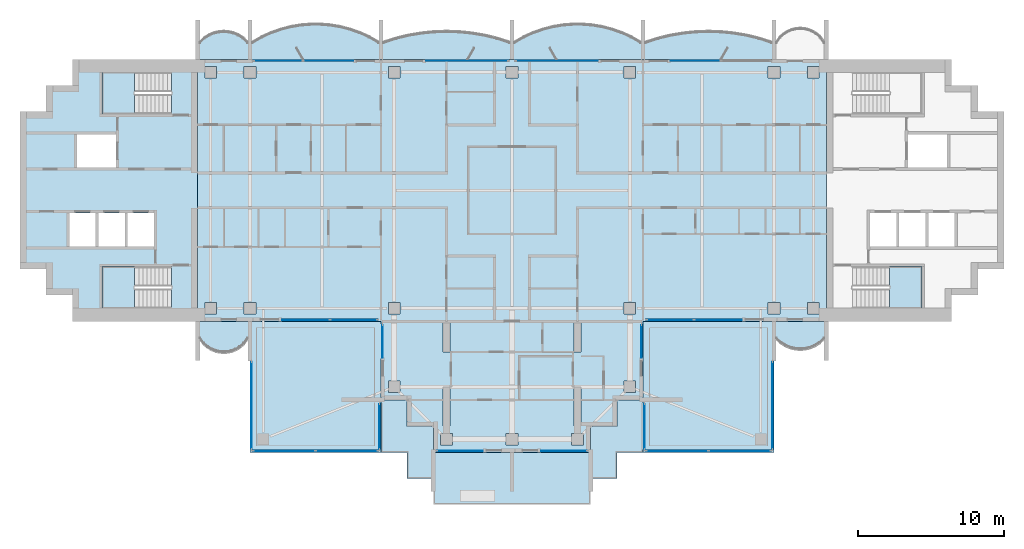
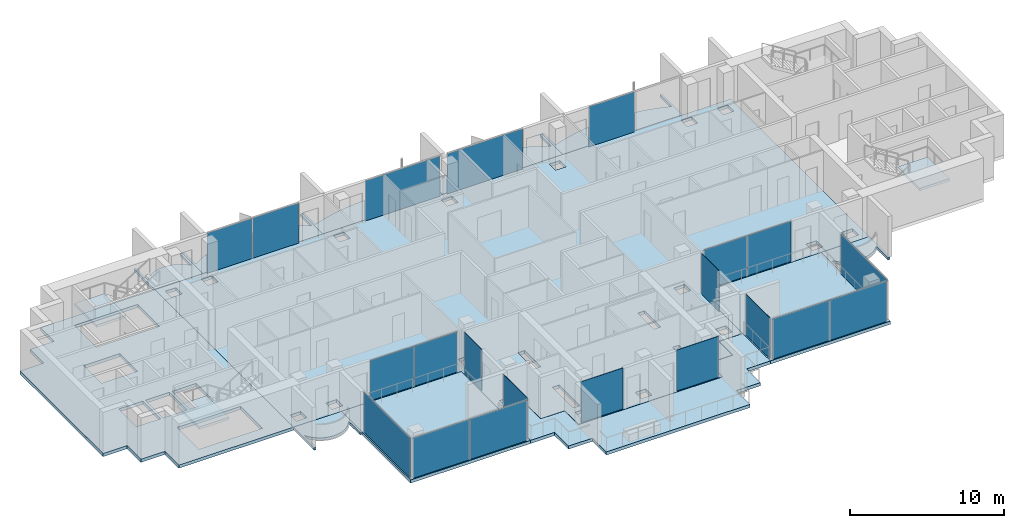
# One storey, part 5 of 16: 21 plates, 15 slabs, 19 elements without a shape of their own.
"""IFC4 building model written with IfcOpenShell, lengths in metres."""

import ifcopenshell
import ifcopenshell.guid

model = None  # the IFC model being written
_history = None  # IfcOwnerHistory: only IFC2X3 demands one
_inside = {}  # id of a spatial element -> (the spatial element, [elements in it])
_under = {}  # id of a project, library or spatial element -> (it, [spatial elements below it])
_declared = {}  # id of a project -> (the project, [libraries it declares])
_typed = {}  # id of a type object -> (the type object, [elements of that type])
_made_of = {}  # id of a material, layer set ... -> (it, [elements and type objects made of it])


def new_model(schema):
    """Start an empty IFC model of exactly this schema.

    Asked for "IFC4X3", IfcOpenShell would pick the latest addendum, in which some entities
    have other attributes; the version numbers below select the first issue.
    IFC2X3 requires an IfcOwnerHistory on every rooted entity: one is made here for all.
    """
    global model, _history
    if schema == "IFC4X3":
        model = ifcopenshell.file(schema_version=(4, 3, 0, 0))
    else:
        model = ifcopenshell.file(schema=schema)
    _inside.clear()
    _under.clear()
    _declared.clear()
    _typed.clear()
    _made_of.clear()
    _history = None
    if model.schema == "IFC2X3":
        org = make("IfcOrganization", Name="unknown")
        user = make(
            "IfcPersonAndOrganization",
            ThePerson=make("IfcPerson", FamilyName="unknown"),
            TheOrganization=org,
        )
        app = make(
            "IfcApplication",
            ApplicationDeveloper=org,
            Version="unknown",
            ApplicationFullName="unknown",
            ApplicationIdentifier="unknown",
        )
        _history = make(
            "IfcOwnerHistory",
            OwningUser=user,
            OwningApplication=app,
            ChangeAction="ADDED",
            CreationDate=0,
        )
    return model


def make(cls, **values):
    """One entity of the class cls with the attributes given. An attribute that is None is left unset."""
    return model.create_entity(
        cls, **{name: value for name, value in values.items() if value is not None}
    )


def rooted(cls, **values):
    """An entity with a GlobalId (a new one), such as an element, a storey or a relation."""
    return make(cls, GlobalId=ifcopenshell.guid.new(), OwnerHistory=_history, **values)


def si_unit(unit_type, name, prefix=None):
    """IfcSIUnit, for example si_unit("LENGTHUNIT", "METRE", prefix="MILLI")."""
    return make("IfcSIUnit", UnitType=unit_type, Prefix=prefix, Name=name)


def assignment(units):
    """IfcUnitAssignment: the units of a project."""
    return None if units is None else make("IfcUnitAssignment", Units=units)


def point(xyz):
    """IfcCartesianPoint."""
    return None if xyz is None else make("IfcCartesianPoint", Coordinates=xyz)


def direction(xyz):
    """IfcDirection."""
    return None if xyz is None else make("IfcDirection", DirectionRatios=xyz)


def frame(location, z_axis=None, x_axis=None):
    """IfcAxis2Placement3D, a coordinate frame: its origin and axes. An axis left out is left unset."""
    return make(
        "IfcAxis2Placement3D",
        Location=point(location),
        Axis=direction(z_axis),
        RefDirection=direction(x_axis),
    )


def frame_2d(location, x_axis=None):
    """IfcAxis2Placement2D, a coordinate frame in the plane: its origin and x axis."""
    return make(
        "IfcAxis2Placement2D", Location=point(location), RefDirection=direction(x_axis)
    )


def origin():
    """The frame at (0, 0, 0) with its axes left unset."""
    return frame((0.0, 0.0, 0.0))


def origin_2d():
    """The frame at (0, 0) in the plane with its x axis left unset."""
    return frame_2d((0.0, 0.0))


def place(relative_to, where):
    """IfcLocalPlacement: puts the frame where relative to a parent placement (None: the world)."""
    return make(
        "IfcLocalPlacement", PlacementRelTo=relative_to, RelativePlacement=where
    )


def context(
    kind, dimensions, precision=None, world=None, true_north=None, identifier=None
):
    """IfcGeometricRepresentationContext, for example the 3D "Model" context."""
    return make(
        "IfcGeometricRepresentationContext",
        ContextIdentifier=identifier,
        ContextType=kind,
        CoordinateSpaceDimension=dimensions,
        Precision=precision,
        WorldCoordinateSystem=world,
        TrueNorth=true_north,
    )


def subcontext(parent, identifier, kind, view, scale=None):
    """IfcGeometricRepresentationSubContext, for example "Body" below "Model"."""
    return make(
        "IfcGeometricRepresentationSubContext",
        ContextIdentifier=identifier,
        ContextType=kind,
        ParentContext=parent,
        TargetScale=scale,
        TargetView=view,
    )


def project(units=None, contexts=None):
    """IfcProject with its units and contexts."""
    return rooted(
        "IfcProject",
        Name="project",
        RepresentationContexts=contexts,
        UnitsInContext=assignment(units),
    )


def spatial(cls, under=None, at=None, **own):
    """A site, building, storey or space (cls), placed at a placement, below another one or the project."""
    s = rooted(cls, ObjectPlacement=at, **own)
    if under is not None:
        _under.setdefault(under.id(), (under, []))[1].append(s)
    return s


def polyline(points):
    """IfcPolyline through the points."""
    return make("IfcPolyline", Points=[point(p) for p in points])


def profile(cls, at=None, kind="AREA", **sizes):
    """A parametric profile (cls). Its sizes go by their IFC names, for example OverallWidth=200.0."""
    return make(cls, ProfileType=kind, Position=at, **sizes)


def rectangle(**sizes):
    """IfcRectangleProfileDef."""
    return profile("IfcRectangleProfileDef", **sizes)


def outline(outer, holes=None, kind="AREA"):
    """IfcArbitraryClosedProfileDef: a profile drawn as a closed curve; with holes, ...WithVoids."""
    if holes is None:
        return make("IfcArbitraryClosedProfileDef", ProfileType=kind, OuterCurve=outer)
    return make(
        "IfcArbitraryProfileDefWithVoids",
        ProfileType=kind,
        OuterCurve=outer,
        InnerCurves=holes,
    )


def extrude(swept, where, along, depth):
    """IfcExtrudedAreaSolid: the profile swept, set in the frame where, extruded along a direction by depth."""
    return make(
        "IfcExtrudedAreaSolid",
        SweptArea=swept,
        Position=where,
        ExtrudedDirection=direction(along),
        Depth=depth,
    )


def shape(context_of_items, identifier, shape_type, items):
    """IfcShapeRepresentation: the items that make up one representation, for example the "Body"."""
    return make(
        "IfcShapeRepresentation",
        ContextOfItems=context_of_items,
        RepresentationIdentifier=identifier,
        RepresentationType=shape_type,
        Items=items,
    )


def material(Name=None, Category=None):
    """IfcMaterial."""
    return make("IfcMaterial", Name=Name, Category=Category)


def layer(
    of_material, thickness, ventilated=None, Name=None, Category=None, Priority=None
):
    """IfcMaterialLayer: one layer of a wall or slab, of a material (None: an air gap)."""
    return make(
        "IfcMaterialLayer",
        Material=of_material,
        LayerThickness=thickness,
        IsVentilated=ventilated,
        Name=Name,
        Category=Category,
        Priority=Priority,
    )


def layer_set(layers, Name=None):
    """IfcMaterialLayerSet."""
    return make("IfcMaterialLayerSet", MaterialLayers=layers, LayerSetName=Name)


def made_of(thing, what):
    """Note that an element or type object is made of a material, layer set ...; save() writes the relation."""
    if what is not None:
        _made_of.setdefault(what.id(), (what, []))[1].append(thing)
    return thing


def type_object(cls, material=None, **own):
    """A type object (cls), such as IfcWallType, which elements share."""
    return made_of(rooted(cls, **own), material)


def element(
    cls,
    number,
    at=None,
    inside=None,
    cuts=None,
    type_object=None,
    material=None,
    context=None,
    identifier="Body",
    shape_type=None,
    held_by="IfcProductDefinitionShape",
    body=None,
    shapes=None,
    **own,
):
    """One element of the class cls, such as IfcWall. Its Tag is "e" and its number.

    at: its placement. inside: the storey or other place that contains it. cuts: it is an
    opening in that element (IfcRelVoidsElement). A single representation is given by context,
    identifier, shape_type and body (its items); several are given by shapes. held_by: the class
    of the entity that holds the representations. save() writes the other relations.
    """
    e = rooted(cls, Tag="e%d" % number, ObjectPlacement=at, **own)
    if body is not None:
        shapes = [shape(context, identifier, shape_type, body)]
    if shapes is not None:
        e.Representation = make(held_by, Representations=shapes)
    if inside is not None:
        _inside.setdefault(inside.id(), (inside, []))[1].append(e)
    if cuts is not None:
        rooted(
            "IfcRelVoidsElement", RelatingBuildingElement=cuts, RelatedOpeningElement=e
        )
    if type_object is not None:
        _typed.setdefault(type_object.id(), (type_object, []))[1].append(e)
    return made_of(e, material)


def aggregate(whole, parts):
    """IfcRelAggregates: a whole, such as a stair, and the parts it consists of."""
    return rooted("IfcRelAggregates", RelatingObject=whole, RelatedObjects=parts)


def save(model, path):
    """Write the relations noted so far, then the file.

    IfcRelAggregates (storeys below a building ...), IfcRelContainedInSpatialStructure (elements
    in a storey), IfcRelDefinesByType, IfcRelAssociatesMaterial and IfcRelDeclares: one each for
    every whole, place, type object, material and project.
    """
    for whole, parts in _under.values():
        aggregate(whole, parts)
    for where, things in _inside.values():
        rooted(
            "IfcRelContainedInSpatialStructure",
            RelatedElements=things,
            RelatingStructure=where,
        )
    for kind, things in _typed.values():
        rooted("IfcRelDefinesByType", RelatedObjects=things, RelatingType=kind)
    for what, things in _made_of.values():
        rooted("IfcRelAssociatesMaterial", RelatedObjects=things, RelatingMaterial=what)
    for by, libraries in _declared.values():
        rooted("IfcRelDeclares", RelatingContext=by, RelatedDefinitions=libraries)
    model.write(path)


model = new_model("IFC4")

# Units and contexts
model_context = context("Model", 3, precision=1e-05, world=origin(), true_north=direction((0.0, 1.0)))
body_context = subcontext(model_context, "Body", "Model", "MODEL_VIEW")
ifc_project = project(units=[si_unit("LENGTHUNIT", "METRE"), si_unit("AREAUNIT", "SQUARE_METRE"), si_unit("VOLUMEUNIT", "CUBIC_METRE"), si_unit("PLANEANGLEUNIT", "RADIAN"), si_unit("MASSUNIT", "GRAM", prefix="KILO")], contexts=[model_context])

# Site, building, storey
site_placement = place(None, origin())
site = spatial("IfcSite", under=ifc_project, at=site_placement, CompositionType="ELEMENT")
building_placement = place(site_placement, origin())
building = spatial("IfcBuilding", under=site, at=building_placement, Name="Perihelion Cross Residences", CompositionType="ELEMENT")
storey_placement = place(building_placement, frame((0.0, 0.0, 232.5)))
storey = spatial("IfcBuildingStorey", under=building, at=storey_placement, Name="L58", CompositionType="ELEMENT", Elevation=232.5)

# Slabs
ifc_material_1 = material(Name="Concrete C40/50", Category="concrete")
ifc_layer_1 = layer(ifc_material_1, 0.199951171875)
ifc_layer_set_1 = layer_set([ifc_layer_1], Name="Balcony slab 200")
slab_type_1 = type_object("IfcSlabType", Name="Balcony slab 200", PredefinedType="FLOOR", material=ifc_layer_set_1)
slab_1_placement = place(storey_placement, frame((0.0, 0.0, -0.199951171875)))
element("IfcSlab", 1, at=slab_1_placement, inside=storey, type_object=slab_type_1, Name="Slab BK1 L58 east side north bay 2 balcony", PredefinedType="FLOOR", context=body_context, shape_type="SweptSolid", body=[
    extrude(outline(polyline([(18.0, 9.0), (9.0, 9.0), (9.0, 11.699951171875), (9.14990234375, 11.699951171875), (9.14990234375, 10.199951171875), (10.02001953125, 10.47509765625), (10.889892578125, 10.68505859375), (11.760009765625, 10.8330078125), (12.6298828125, 10.9208984375), (13.5, 10.949951171875), (14.3701171875, 10.9208984375), (15.239990234375, 10.8330078125), (16.110107421875, 10.68505859375), (16.97998046875, 10.47509765625), (17.85009765625, 10.199951171875), (17.85009765625, 11.699951171875), (18.0, 11.699951171875), (18.0, 9.0)])), origin(), (0.0, 0.0, 1.0), 0.199951171875),
])
slab_2_placement = place(storey_placement, frame((0.0, 0.0, -0.199951171875)))
element("IfcSlab", 2, at=slab_2_placement, inside=storey, type_object=slab_type_1, Name="Slab BK1 L58 north side east bay 1 balcony", PredefinedType="FLOOR", context=body_context, shape_type="SweptSolid", body=[
    extrude(outline(polyline([(9.0, 9.0), (0.0, 9.0), (0.0, 11.699951171875), (0.14990234375, 11.699951171875), (0.14990234375, 10.199951171875), (0.8193359375, 10.57666015625), (1.488525390625, 10.87646484375), (2.15771484375, 11.108154296875), (2.826904296875, 11.27734375), (3.49609375, 11.38818359375), (4.165283203125, 11.443115234375), (4.834716796875, 11.443115234375), (5.50390625, 11.38818359375), (6.173095703125, 11.27734375), (6.84228515625, 11.108154296875), (7.511474609375, 10.87646484375), (8.1806640625, 10.57666015625), (8.85009765625, 10.199951171875), (8.85009765625, 11.699951171875), (9.0, 11.699951171875), (9.0, 9.0)])), origin(), (0.0, 0.0, 1.0), 0.199951171875),
])
slab_3_placement = place(storey_placement, frame((0.0, 0.0, -0.199951171875)))
element("IfcSlab", 3, at=slab_3_placement, inside=storey, type_object=slab_type_1, Name="Slab BK1 L58 north side east bay 2 balcony", PredefinedType="FLOOR", context=body_context, shape_type="SweptSolid", body=[
    extrude(outline(polyline([(0.0, 9.0), (-9.0, 9.0), (-9.0, 11.699951171875), (-8.85009765625, 11.699951171875), (-8.85009765625, 10.199951171875), (-7.97998046875, 10.47509765625), (-7.110107421875, 10.68505859375), (-6.239990234375, 10.8330078125), (-5.3701171875, 10.9208984375), (-4.5, 10.949951171875), (-3.6298828125, 10.9208984375), (-2.760009765625, 10.8330078125), (-1.889892578125, 10.68505859375), (-1.02001953125, 10.47509765625), (-0.14990234375, 10.199951171875), (-0.14990234375, 11.699951171875), (0.0, 11.699951171875), (0.0, 9.0)])), origin(), (0.0, 0.0, 1.0), 0.199951171875),
])
slab_4_placement = place(storey_placement, frame((0.0, 0.0, -0.199951171875)))
element("IfcSlab", 4, at=slab_4_placement, inside=storey, type_object=slab_type_1, Name="Slab BK1 L58 west side north bay 1 balcony", PredefinedType="FLOOR", context=body_context, shape_type="SweptSolid", body=[
    extrude(outline(polyline([(-9.0, 9.0), (-18.0, 9.0), (-18.0, 11.699951171875), (-17.85009765625, 11.699951171875), (-17.85009765625, 10.199951171875), (-17.1806640625, 10.57666015625), (-16.511474609375, 10.87646484375), (-15.84228515625, 11.108154296875), (-15.173095703125, 11.27734375), (-14.50390625, 11.38818359375), (-13.834716796875, 11.443115234375), (-13.165283203125, 11.443115234375), (-12.49609375, 11.38818359375), (-11.826904296875, 11.27734375), (-11.15771484375, 11.108154296875), (-10.488525390625, 10.87646484375), (-9.8193359375, 10.57666015625), (-9.14990234375, 10.199951171875), (-9.14990234375, 11.699951171875), (-9.0, 11.699951171875), (-9.0, 9.0)])), origin(), (0.0, 0.0, 1.0), 0.199951171875),
])
slab_5_placement = place(storey_placement, frame((0.0, 0.0, -0.199951171875)))
element("IfcSlab", 5, at=slab_5_placement, inside=storey, type_object=slab_type_1, Name="Slab BK1 L58 west side north bay 2 balcony", PredefinedType="FLOOR", context=body_context, shape_type="SweptSolid", body=[
    extrude(outline(polyline([(-18.0, 9.0), (-21.60009765625, 9.0), (-21.60009765625, 11.699951171875), (-21.449951171875, 11.699951171875), (-21.449951171875, 10.199951171875), (-21.1201171875, 10.507568359375), (-20.7900390625, 10.71337890625), (-20.4599609375, 10.84814453125), (-20.1298828125, 10.925048828125), (-19.800048828125, 10.949951171875), (-19.469970703125, 10.925048828125), (-19.139892578125, 10.84814453125), (-18.81005859375, 10.71337890625), (-18.47998046875, 10.507568359375), (-18.14990234375, 10.199951171875), (-18.14990234375, 11.699951171875), (-18.0, 11.699951171875), (-18.0, 9.0)])), origin(), (0.0, 0.0, 1.0), 0.199951171875),
])
slab_6_placement = place(storey_placement, frame((0.0, 0.0, -0.199951171875)))
element("IfcSlab", 6, at=slab_6_placement, inside=storey, type_object=slab_type_1, Name="Slab BK1 L58 west side south bay 1 balcony", PredefinedType="FLOOR", context=body_context, shape_type="SweptSolid", body=[
    extrude(outline(polyline([(-21.60009765625, -9.0), (-18.0, -9.0), (-18.0, -11.699951171875), (-18.14990234375, -11.699951171875), (-18.14990234375, -10.199951171875), (-18.425048828125, -10.568603515625), (-18.699951171875, -10.806396484375), (-18.97509765625, -10.96875), (-19.25, -11.07568359375), (-19.52490234375, -11.136962890625), (-19.800048828125, -11.156982421875), (-20.074951171875, -11.136962890625), (-20.35009765625, -11.07568359375), (-20.625, -10.96875), (-20.89990234375, -10.806396484375), (-21.175048828125, -10.568603515625), (-21.449951171875, -10.199951171875), (-21.449951171875, -11.699951171875), (-21.60009765625, -11.699951171875), (-21.60009765625, -9.0)])), origin(), (0.0, 0.0, 1.0), 0.199951171875),
])
slab_7_placement = place(storey_placement, frame((0.0, 0.0, -0.199951171875)))
element("IfcSlab", 7, at=slab_7_placement, inside=storey, type_object=slab_type_1, Name="Slab BK1 L58 east side south bay 2 balcony", PredefinedType="FLOOR", context=body_context, shape_type="SweptSolid", body=[
    extrude(outline(polyline([(18.0, -9.0), (21.60009765625, -9.0), (21.60009765625, -11.699951171875), (21.449951171875, -11.699951171875), (21.449951171875, -10.199951171875), (21.1201171875, -10.507568359375), (20.7900390625, -10.71337890625), (20.4599609375, -10.84814453125), (20.1298828125, -10.925048828125), (19.800048828125, -10.949951171875), (19.469970703125, -10.925048828125), (19.139892578125, -10.84814453125), (18.81005859375, -10.71337890625), (18.47998046875, -10.507568359375), (18.14990234375, -10.199951171875), (18.14990234375, -11.699951171875), (18.0, -11.699951171875), (18.0, -9.0)])), origin(), (0.0, 0.0, 1.0), 0.199951171875),
])

# Curtain wall, plate
ifc_material_2 = material(Name="Bronze anodised aluminium, tinted glazing", Category="aluminium")
curtain_wall_type_1 = type_object("IfcCurtainWallType", Name="CW1", PredefinedType="NOTDEFINED", material=ifc_material_2)
curtain_wall_1_placement = place(storey_placement, origin())
curtain_wall_1 = element("IfcCurtainWall", 8, at=curtain_wall_1_placement, inside=storey, type_object=curtain_wall_type_1, Name="Curtain wall CW1 L58 east side north bay 2", PredefinedType="NOTDEFINED")
ifc_material_3 = material(Name="Tinted laminated glass", Category="glass")
ifc_layer_2 = layer(ifc_material_3, 0.028076171875)
ifc_layer_set_2 = layer_set([ifc_layer_2], Name="CW1 panel")
plate_type_1 = type_object("IfcPlateType", Name="CW1 panel", PredefinedType="CURTAIN_PANEL", material=ifc_layer_set_2)
plate_1_placement = place(storey_placement, frame((12.610107421875, 8.89990234375, 0.0), z_axis=(0.0, 0.0, 1.0), x_axis=(-1.0, 0.0, 0.0)))
plate_1 = element("IfcPlate", 9, at=plate_1_placement, type_object=plate_type_1, Name="CW1 panel 2", PredefinedType="CURTAIN_PANEL", context=body_context, shape_type="SweptSolid", body=[
    extrude(rectangle(XDim=3.419921875, YDim=0.028076171875, at=origin_2d()), origin(), (0.0, 0.0, 1.0), 3.18994140625),
])
aggregate(curtain_wall_1, [plate_1])

curtain_wall_2_placement = place(storey_placement, origin())
curtain_wall_2 = element("IfcCurtainWall", 10, at=curtain_wall_2_placement, inside=storey, type_object=curtain_wall_type_1, Name="Curtain wall CW1 L58 north side east bay 1", PredefinedType="NOTDEFINED")
plate_2_placement = place(storey_placement, frame((3.080078125, 8.89990234375, 0.0), z_axis=(0.0, 0.0, 1.0), x_axis=(-1.0, 0.0, 0.0)))
plate_2 = element("IfcPlate", 11, at=plate_2_placement, type_object=plate_type_1, Name="CW1 panel 1", PredefinedType="CURTAIN_PANEL", context=body_context, shape_type="SweptSolid", body=[
    extrude(rectangle(XDim=5.639892578125, YDim=0.028076171875, at=origin_2d()), origin(), (0.0, 0.0, 1.0), 3.18994140625),
])
aggregate(curtain_wall_2, [plate_2])

curtain_wall_3_placement = place(storey_placement, origin())
curtain_wall_3 = element("IfcCurtainWall", 12, at=curtain_wall_3_placement, inside=storey, type_object=curtain_wall_type_1, Name="Curtain wall CW1 L58 north side east bay 2", PredefinedType="NOTDEFINED")
plate_3_placement = place(storey_placement, frame((-3.080078125, 8.89990234375, 0.0), z_axis=(0.0, 0.0, 1.0), x_axis=(-1.0, 0.0, 0.0)))
plate_3 = element("IfcPlate", 13, at=plate_3_placement, type_object=plate_type_1, Name="CW1 panel 1", PredefinedType="CURTAIN_PANEL", context=body_context, shape_type="SweptSolid", body=[
    extrude(rectangle(XDim=5.639892578125, YDim=0.028076171875, at=origin_2d()), origin(), (0.0, 0.0, 1.0), 3.18994140625),
])
aggregate(curtain_wall_3, [plate_3])

# Curtain wall, plates
curtain_wall_4_placement = place(storey_placement, origin())
curtain_wall_4 = element("IfcCurtainWall", 14, at=curtain_wall_4_placement, inside=storey, type_object=curtain_wall_type_1, Name="Curtain wall CW1 L58 west side north bay 1", PredefinedType="NOTDEFINED")
plate_4_placement = place(storey_placement, frame((-12.610107421875, 8.89990234375, 0.0), z_axis=(0.0, 0.0, 1.0), x_axis=(-1.0, 0.0, 0.0)))
plate_4 = element("IfcPlate", 15, at=plate_4_placement, type_object=plate_type_1, Name="CW1 panel 1", PredefinedType="CURTAIN_PANEL", context=body_context, shape_type="SweptSolid", body=[
    extrude(rectangle(XDim=3.419921875, YDim=0.028076171875, at=origin_2d()), origin(), (0.0, 0.0, 1.0), 3.18994140625),
])
plate_5_placement = place(storey_placement, frame((-16.06005859375, 8.89990234375, 0.0), z_axis=(0.0, 0.0, 1.0), x_axis=(-1.0, 0.0, 0.0)))
plate_5 = element("IfcPlate", 16, at=plate_5_placement, type_object=plate_type_1, Name="CW1 panel 2", PredefinedType="CURTAIN_PANEL", context=body_context, shape_type="SweptSolid", body=[
    extrude(rectangle(XDim=3.360107421875, YDim=0.028076171875, at=origin_2d()), origin(), (0.0, 0.0, 1.0), 3.18994140625),
])
aggregate(curtain_wall_4, [plate_4, plate_5])

curtain_wall_5_placement = place(storey_placement, origin())
curtain_wall_5 = element("IfcCurtainWall", 17, at=curtain_wall_5_placement, inside=storey, type_object=curtain_wall_type_1, Name="Curtain wall CW1 L58 west side south bay 2", PredefinedType="NOTDEFINED")
plate_6_placement = place(storey_placement, frame((-14.1650390625, -8.89990234375, 0.0), z_axis=(0.0, 0.0, 1.0), x_axis=(1.0, 0.0, 0.0)))
plate_6 = element("IfcPlate", 18, at=plate_6_placement, type_object=plate_type_1, Name="CW1 panel 1", PredefinedType="CURTAIN_PANEL", context=body_context, shape_type="SweptSolid", body=[
    extrude(rectangle(XDim=3.27001953125, YDim=0.028076171875, at=origin_2d()), origin(), (0.0, 0.0, 1.0), 3.18994140625),
])
plate_7_placement = place(storey_placement, frame((-10.864990234375, -8.89990234375, 0.0), z_axis=(0.0, 0.0, 1.0), x_axis=(1.0, 0.0, 0.0)))
plate_7 = element("IfcPlate", 19, at=plate_7_placement, type_object=plate_type_1, Name="CW1 panel 2", PredefinedType="CURTAIN_PANEL", context=body_context, shape_type="SweptSolid", body=[
    extrude(rectangle(XDim=3.2099609375, YDim=0.028076171875, at=origin_2d()), origin(), (0.0, 0.0, 1.0), 3.18994140625),
])
aggregate(curtain_wall_5, [plate_6, plate_7])

# Curtain wall, plate
curtain_wall_6_placement = place(storey_placement, origin())
curtain_wall_6 = element("IfcCurtainWall", 20, at=curtain_wall_6_placement, inside=storey, type_object=curtain_wall_type_1, Name="Curtain wall CW1 L58 south side west bay 1", PredefinedType="NOTDEFINED")
plate_8_placement = place(storey_placement, frame((-8.89990234375, -10.3798828125, 0.0), z_axis=(0.0, 0.0, 1.0), x_axis=(0.0, -1.0, 0.0)))
plate_8 = element("IfcPlate", 21, at=plate_8_placement, type_object=plate_type_1, Name="CW1 panel 1", PredefinedType="CURTAIN_PANEL", context=body_context, shape_type="SweptSolid", body=[
    extrude(rectangle(XDim=2.239990234375, YDim=0.028076171875, at=origin_2d()), origin(), (0.0, 0.0, 1.0), 3.25),
])
aggregate(curtain_wall_6, [plate_8])

curtain_wall_7_placement = place(storey_placement, origin())
curtain_wall_7 = element("IfcCurtainWall", 22, at=curtain_wall_7_placement, inside=storey, type_object=curtain_wall_type_1, Name="Curtain wall CW1 L58 south tip south bay 1", PredefinedType="NOTDEFINED")
plate_9_placement = place(storey_placement, frame((-3.570068359375, -17.89990234375, 0.0), z_axis=(0.0, 0.0, 1.0), x_axis=(1.0, 0.0, 0.0)))
plate_9 = element("IfcPlate", 23, at=plate_9_placement, type_object=plate_type_1, Name="CW1 panel 1", PredefinedType="CURTAIN_PANEL", context=body_context, shape_type="SweptSolid", body=[
    extrude(rectangle(XDim=3.139892578125, YDim=0.028076171875, at=origin_2d()), origin(), (0.0, 0.0, 1.0), 3.25),
])
aggregate(curtain_wall_7, [plate_9])

curtain_wall_8_placement = place(storey_placement, origin())
curtain_wall_8 = element("IfcCurtainWall", 24, at=curtain_wall_8_placement, inside=storey, type_object=curtain_wall_type_1, Name="Curtain wall CW1 L58 south tip south bay 2", PredefinedType="NOTDEFINED")
plate_10_placement = place(storey_placement, frame((3.570068359375, -17.89990234375, 0.0), z_axis=(0.0, 0.0, 1.0), x_axis=(1.0, 0.0, 0.0)))
plate_10 = element("IfcPlate", 25, at=plate_10_placement, type_object=plate_type_1, Name="CW1 panel 1", PredefinedType="CURTAIN_PANEL", context=body_context, shape_type="SweptSolid", body=[
    extrude(rectangle(XDim=3.139892578125, YDim=0.028076171875, at=origin_2d()), origin(), (0.0, 0.0, 1.0), 3.25),
])
aggregate(curtain_wall_8, [plate_10])

curtain_wall_9_placement = place(storey_placement, origin())
curtain_wall_9 = element("IfcCurtainWall", 26, at=curtain_wall_9_placement, inside=storey, type_object=curtain_wall_type_1, Name="Curtain wall CW1 L58 south side east bay 1", PredefinedType="NOTDEFINED")
plate_11_placement = place(storey_placement, frame((8.89990234375, -10.3798828125, 0.0), z_axis=(0.0, 0.0, 1.0), x_axis=(0.0, 1.0, 0.0)))
plate_11 = element("IfcPlate", 27, at=plate_11_placement, type_object=plate_type_1, Name="CW1 panel 1", PredefinedType="CURTAIN_PANEL", context=body_context, shape_type="SweptSolid", body=[
    extrude(rectangle(XDim=2.239990234375, YDim=0.028076171875, at=origin_2d()), origin(), (0.0, 0.0, 1.0), 3.25),
])
aggregate(curtain_wall_9, [plate_11])

# Curtain wall, plates
curtain_wall_10_placement = place(storey_placement, origin())
curtain_wall_10 = element("IfcCurtainWall", 28, at=curtain_wall_10_placement, inside=storey, type_object=curtain_wall_type_1, Name="Curtain wall CW1 L58 east side south bay 1", PredefinedType="NOTDEFINED")
plate_12_placement = place(storey_placement, frame((10.864990234375, -8.89990234375, 0.0), z_axis=(0.0, 0.0, 1.0), x_axis=(1.0, 0.0, 0.0)))
plate_12 = element("IfcPlate", 29, at=plate_12_placement, type_object=plate_type_1, Name="CW1 panel 1", PredefinedType="CURTAIN_PANEL", context=body_context, shape_type="SweptSolid", body=[
    extrude(rectangle(XDim=3.2099609375, YDim=0.028076171875, at=origin_2d()), origin(), (0.0, 0.0, 1.0), 3.18994140625),
])
plate_13_placement = place(storey_placement, frame((14.1650390625, -8.89990234375, 0.0), z_axis=(0.0, 0.0, 1.0), x_axis=(1.0, 0.0, 0.0)))
plate_13 = element("IfcPlate", 30, at=plate_13_placement, type_object=plate_type_1, Name="CW1 panel 2", PredefinedType="CURTAIN_PANEL", context=body_context, shape_type="SweptSolid", body=[
    extrude(rectangle(XDim=3.27001953125, YDim=0.028076171875, at=origin_2d()), origin(), (0.0, 0.0, 1.0), 3.18994140625),
])
aggregate(curtain_wall_10, [plate_12, plate_13])

# Curtain wall, plate
ifc_material_4 = material(Name="Bronze anodised aluminium, tinted glazing", Category="aluminium")
curtain_wall_type_2 = type_object("IfcCurtainWallType", Name="CW4", PredefinedType="NOTDEFINED", material=ifc_material_4)
curtain_wall_11_placement = place(storey_placement, origin())
curtain_wall_11 = element("IfcCurtainWall", 31, at=curtain_wall_11_placement, inside=storey, type_object=curtain_wall_type_2, Name="Curtain wall CW4 L58 pocket south-east 1 1", PredefinedType="NOTDEFINED")
ifc_material_5 = material(Name="Tinted laminated glass", Category="glass")
ifc_layer_3 = layer(ifc_material_5, 0.030029296875)
ifc_layer_set_3 = layer_set([ifc_layer_3], Name="CW4 panel")
plate_type_2 = type_object("IfcPlateType", Name="CW4 panel", PredefinedType="CURTAIN_PANEL", material=ifc_layer_set_3)
plate_14_placement = place(storey_placement, frame((17.89990234375, -14.784912109375, 0.0), z_axis=(0.0, 0.0, 1.0), x_axis=(0.0, -1.0, 0.0)))
plate_14 = element("IfcPlate", 32, at=plate_14_placement, type_object=plate_type_2, Name="CW4 panel 1", PredefinedType="CURTAIN_PANEL", context=body_context, shape_type="SweptSolid", body=[
    extrude(rectangle(XDim=5.969970703125, YDim=0.030029296875, at=origin_2d()), origin(), (0.0, 0.0, 1.0), 3.18994140625),
])
aggregate(curtain_wall_11, [plate_14])

# Curtain wall, plates
curtain_wall_12_placement = place(storey_placement, origin())
curtain_wall_12 = element("IfcCurtainWall", 33, at=curtain_wall_12_placement, inside=storey, type_object=curtain_wall_type_2, Name="Curtain wall CW4 L58 pocket south-east 1 2", PredefinedType="NOTDEFINED")
plate_15_placement = place(storey_placement, frame((15.64990234375, -17.89990234375, 0.0), z_axis=(0.0, 0.0, 1.0), x_axis=(-1.0, 0.0, 0.0)))
plate_15 = element("IfcPlate", 34, at=plate_15_placement, type_object=plate_type_2, Name="CW4 panel 1", PredefinedType="CURTAIN_PANEL", context=body_context, shape_type="SweptSolid", body=[
    extrude(rectangle(XDim=4.239990234375, YDim=0.030029296875, at=origin_2d()), origin(), (0.0, 0.0, 1.0), 3.18994140625),
])
plate_16_placement = place(storey_placement, frame((11.35009765625, -17.89990234375, 0.0), z_axis=(0.0, 0.0, 1.0), x_axis=(-1.0, 0.0, 0.0)))
plate_16 = element("IfcPlate", 35, at=plate_16_placement, type_object=plate_type_2, Name="CW4 panel 2", PredefinedType="CURTAIN_PANEL", context=body_context, shape_type="SweptSolid", body=[
    extrude(rectangle(XDim=4.239990234375, YDim=0.030029296875, at=origin_2d()), origin(), (0.0, 0.0, 1.0), 3.18994140625),
])
aggregate(curtain_wall_12, [plate_15, plate_16])

# Curtain wall, plate
curtain_wall_13_placement = place(storey_placement, origin())
curtain_wall_13 = element("IfcCurtainWall", 36, at=curtain_wall_13_placement, inside=storey, type_object=curtain_wall_type_2, Name="Curtain wall CW4 L58 pocket south-east 1 3", PredefinedType="NOTDEFINED")
plate_17_placement = place(storey_placement, frame((9.10009765625, -16.2294921875, 0.0), z_axis=(0.0, 0.0, 1.0), x_axis=(0.0, 1.0, 0.0)))
plate_17 = element("IfcPlate", 37, at=plate_17_placement, type_object=plate_type_2, Name="CW4 panel 1", PredefinedType="CURTAIN_PANEL", context=body_context, shape_type="SweptSolid", body=[
    extrude(rectangle(XDim=3.0810546875, YDim=0.030029296875, at=origin_2d()), origin(), (0.0, 0.0, 1.0), 3.25),
])
aggregate(curtain_wall_13, [plate_17])

curtain_wall_14_placement = place(storey_placement, origin())
curtain_wall_14 = element("IfcCurtainWall", 38, at=curtain_wall_14_placement, inside=storey, type_object=curtain_wall_type_2, Name="Curtain wall CW4 L58 pocket south-west 1 1", PredefinedType="NOTDEFINED")
plate_18_placement = place(storey_placement, frame((-9.10009765625, -16.2294921875, 0.0), z_axis=(0.0, 0.0, 1.0), x_axis=(0.0, -1.0, 0.0)))
plate_18 = element("IfcPlate", 39, at=plate_18_placement, type_object=plate_type_2, Name="CW4 panel 1", PredefinedType="CURTAIN_PANEL", context=body_context, shape_type="SweptSolid", body=[
    extrude(rectangle(XDim=3.0810546875, YDim=0.030029296875, at=origin_2d()), origin(), (0.0, 0.0, 1.0), 3.25),
])
aggregate(curtain_wall_14, [plate_18])

# Curtain wall, plates
curtain_wall_15_placement = place(storey_placement, origin())
curtain_wall_15 = element("IfcCurtainWall", 40, at=curtain_wall_15_placement, inside=storey, type_object=curtain_wall_type_2, Name="Curtain wall CW4 L58 pocket south-west 1 2", PredefinedType="NOTDEFINED")
plate_19_placement = place(storey_placement, frame((-11.35009765625, -17.89990234375, 0.0), z_axis=(0.0, 0.0, 1.0), x_axis=(-1.0, 0.0, 0.0)))
plate_19 = element("IfcPlate", 41, at=plate_19_placement, type_object=plate_type_2, Name="CW4 panel 1", PredefinedType="CURTAIN_PANEL", context=body_context, shape_type="SweptSolid", body=[
    extrude(rectangle(XDim=4.239990234375, YDim=0.030029296875, at=origin_2d()), origin(), (0.0, 0.0, 1.0), 3.18994140625),
])
plate_20_placement = place(storey_placement, frame((-15.64990234375, -17.89990234375, 0.0), z_axis=(0.0, 0.0, 1.0), x_axis=(-1.0, 0.0, 0.0)))
plate_20 = element("IfcPlate", 42, at=plate_20_placement, type_object=plate_type_2, Name="CW4 panel 2", PredefinedType="CURTAIN_PANEL", context=body_context, shape_type="SweptSolid", body=[
    extrude(rectangle(XDim=4.239990234375, YDim=0.030029296875, at=origin_2d()), origin(), (0.0, 0.0, 1.0), 3.18994140625),
])
aggregate(curtain_wall_15, [plate_19, plate_20])

# Curtain wall, plate
curtain_wall_16_placement = place(storey_placement, origin())
curtain_wall_16 = element("IfcCurtainWall", 43, at=curtain_wall_16_placement, inside=storey, type_object=curtain_wall_type_2, Name="Curtain wall CW4 L58 pocket south-west 1 3", PredefinedType="NOTDEFINED")
plate_21_placement = place(storey_placement, frame((-17.89990234375, -14.784912109375, 0.0), z_axis=(0.0, 0.0, 1.0), x_axis=(0.0, 1.0, 0.0)))
plate_21 = element("IfcPlate", 44, at=plate_21_placement, type_object=plate_type_2, Name="CW4 panel 1", PredefinedType="CURTAIN_PANEL", context=body_context, shape_type="SweptSolid", body=[
    extrude(rectangle(XDim=5.969970703125, YDim=0.030029296875, at=origin_2d()), origin(), (0.0, 0.0, 1.0), 3.18994140625),
])
aggregate(curtain_wall_16, [plate_21])

# Slab
ifc_material_6 = material(Name="Concrete C40/50", Category="concrete")
ifc_layer_4 = layer(ifc_material_6, 0.25)
ifc_layer_set_4 = layer_set([ifc_layer_4], Name="Core floor slab 250")
slab_type_2 = type_object("IfcSlabType", Name="Core floor slab 250", PredefinedType="FLOOR", material=ifc_layer_set_4)
slab_8_placement = place(storey_placement, frame((0.0, 0.0, -0.25)))
element("IfcSlab", 45, at=slab_8_placement, inside=storey, type_object=slab_type_2, Name="West core floor slab", PredefinedType="FLOOR", context=body_context, shape_type="SweptSolid", body=[
    extrude(outline(polyline([(-30.199951171875, 7.199951171875), (-32.0, 7.199951171875), (-32.0, 5.39990234375), (-33.800048828125, 5.39990234375), (-33.800048828125, -5.39990234375), (-32.0, -5.39990234375), (-32.0, -7.199951171875), (-30.199951171875, -7.199951171875), (-30.199951171875, -9.0), (-21.60009765625, -9.0), (-21.60009765625, 9.0), (-30.199951171875, 9.0), (-30.199951171875, 7.199951171875)]), holes=[polyline([(-28.14990234375, -8.10009765625), (-28.14990234375, -5.25), (-23.405029296875, -5.25), (-23.405029296875, -8.10009765625), (-28.14990234375, -8.10009765625)]), polyline([(-24.60009765625, -1.550048828125), (-24.60009765625, -3.85009765625), (-26.39990234375, -3.85009765625), (-26.39990234375, -1.550048828125), (-24.60009765625, -1.550048828125)]), polyline([(-26.60009765625, -1.550048828125), (-26.60009765625, -3.85009765625), (-28.39990234375, -3.85009765625), (-28.39990234375, -1.550048828125), (-26.60009765625, -1.550048828125)]), polyline([(-28.60009765625, -3.85009765625), (-30.39990234375, -3.85009765625), (-30.39990234375, -1.550048828125), (-28.60009765625, -1.550048828125), (-28.60009765625, -3.85009765625)]), polyline([(-27.199951171875, 3.85009765625), (-27.199951171875, 1.550048828125), (-29.89990234375, 1.550048828125), (-29.89990234375, 3.85009765625), (-27.199951171875, 3.85009765625)]), polyline([(-23.405029296875, 5.25), (-28.14990234375, 5.25), (-28.14990234375, 8.10009765625), (-23.405029296875, 8.10009765625), (-23.405029296875, 5.25)])]), origin(), (0.0, 0.0, 1.0), 0.25),
])

# Stair, slab
ifc_material_7 = material(Name="Concrete C40/50", Category="concrete")
stair_type = type_object("IfcStairType", Name="Exit stair, half-turn", PredefinedType="HALF_TURN_STAIR", material=ifc_material_7)
stair_1_placement = place(storey_placement, origin())
stair_1 = element("IfcStair", 46, at=stair_1_placement, inside=storey, type_object=stair_type, Name="L58 East core exit stair 2", PredefinedType="HALF_TURN_STAIR")
ifc_material_8 = material(Name="Concrete C40/50", Category="concrete")
ifc_layer_5 = layer(ifc_material_8, 0.199951171875)
ifc_layer_set_5 = layer_set([ifc_layer_5], Name="Exit stair landing 200")
slab_type_3 = type_object("IfcSlabType", Name="Exit stair landing 200", PredefinedType="LANDING", material=ifc_layer_set_5)
slab_9_placement = place(storey_placement, frame((0.0, 0.0, 1.550048828125)))
slab_9 = element("IfcSlab", 47, at=slab_9_placement, type_object=slab_type_3, Name="ST-E2 landing 1", PredefinedType="LANDING", context=body_context, shape_type="SweptSolid", body=[
    extrude(outline(polyline([(25.919921875, -8.10009765625), (28.14990234375, -8.10009765625), (28.14990234375, -5.25), (25.919921875, -5.25), (25.919921875, -8.10009765625)])), origin(), (0.0, 0.0, 1.0), 0.199951171875),
])
aggregate(stair_1, [slab_9])

stair_2_placement = place(storey_placement, origin())
stair_2 = element("IfcStair", 48, at=stair_2_placement, inside=storey, type_object=stair_type, Name="L58 West core exit stair 1", PredefinedType="HALF_TURN_STAIR")
slab_10_placement = place(storey_placement, frame((0.0, 0.0, 1.550048828125)))
slab_10 = element("IfcSlab", 49, at=slab_10_placement, type_object=slab_type_3, Name="ST-W1 landing 1", PredefinedType="LANDING", context=body_context, shape_type="SweptSolid", body=[
    extrude(outline(polyline([(-25.919921875, 8.10009765625), (-28.14990234375, 8.10009765625), (-28.14990234375, 5.25), (-25.919921875, 5.25), (-25.919921875, 8.10009765625)])), origin(), (0.0, 0.0, 1.0), 0.199951171875),
])
aggregate(stair_2, [slab_10])

stair_3_placement = place(storey_placement, origin())
stair_3 = element("IfcStair", 50, at=stair_3_placement, inside=storey, type_object=stair_type, Name="L58 West core exit stair 2", PredefinedType="HALF_TURN_STAIR")
slab_11_placement = place(storey_placement, frame((0.0, 0.0, 1.550048828125)))
slab_11 = element("IfcSlab", 51, at=slab_11_placement, type_object=slab_type_3, Name="ST-W2 landing 1", PredefinedType="LANDING", context=body_context, shape_type="SweptSolid", body=[
    extrude(outline(polyline([(-25.919921875, -5.25), (-28.14990234375, -5.25), (-28.14990234375, -8.10009765625), (-25.919921875, -8.10009765625), (-25.919921875, -5.25)])), origin(), (0.0, 0.0, 1.0), 0.199951171875),
])
aggregate(stair_3, [slab_11])

# Slabs
ifc_material_9 = material(Name="Concrete C50/60", Category="concrete")
ifc_layer_6 = layer(ifc_material_9, 0.25)
ifc_layer_set_6 = layer_set([ifc_layer_6], Name="Residential floor post-tensioned slab concrete C50/60")
slab_type_4 = type_object("IfcSlabType", Name="Residential floor post-tensioned slab concrete C50/60", PredefinedType="FLOOR", material=ifc_layer_set_6)
slab_12_placement = place(storey_placement, frame((0.0, 0.0, -0.25)))
element("IfcSlab", 52, at=slab_12_placement, inside=storey, type_object=slab_type_4, Name="Slab SL8 L58 1 no. 1", PredefinedType="FLOOR", context=body_context, shape_type="SweptSolid", body=[
    extrude(outline(polyline([(-9.0, 9.0), (9.0, 9.0), (21.60009765625, 9.0), (21.60009765625, -9.0), (9.0, -9.0), (9.0, -14.39990234375), (7.199951171875, -14.39990234375), (7.199951171875, -16.199951171875), (5.39990234375, -16.199951171875), (5.39990234375, -18.0), (-5.39990234375, -18.0), (-5.39990234375, -16.199951171875), (-7.199951171875, -16.199951171875), (-7.199951171875, -14.39990234375), (-9.0, -14.39990234375), (-9.0, -9.0), (-21.60009765625, -9.0), (-21.60009765625, 9.0), (-9.0, 9.0)]), holes=[polyline([(-4.10009765625, -17.5), (-4.10009765625, -16.699951171875), (-4.89990234375, -16.699951171875), (-4.89990234375, -17.5), (-4.10009765625, -17.5)]), polyline([(-4.25, -16.199951171875), (-4.25, -13.5), (-4.75, -13.5), (-4.75, -16.199951171875), (-4.25, -16.199951171875)]), polyline([(-7.699951171875, -13.10009765625), (-8.5, -13.10009765625), (-8.5, -13.89990234375), (-7.699951171875, -13.89990234375), (-7.699951171875, -13.10009765625)]), polyline([(-4.25, -11.10009765625), (-4.25, -9.0), (-4.75, -9.0), (-4.75, -11.10009765625), (-4.25, -11.10009765625)]), polyline([(-20.300048828125, -8.5), (-20.300048828125, -7.699951171875), (-21.10009765625, -7.699951171875), (-21.10009765625, -8.5), (-20.300048828125, -8.5)]), polyline([(-17.60009765625, -7.699951171875), (-18.39990234375, -7.699951171875), (-18.39990234375, -8.5), (-17.60009765625, -8.5), (-17.60009765625, -7.699951171875)]), polyline([(-7.699951171875, -8.5), (-7.699951171875, -7.699951171875), (-8.5, -7.699951171875), (-8.5, -8.5), (-7.699951171875, -8.5)]), polyline([(-20.300048828125, 8.5), (-21.10009765625, 8.5), (-21.10009765625, 7.699951171875), (-20.300048828125, 7.699951171875), (-20.300048828125, 8.5)]), polyline([(-17.60009765625, 7.699951171875), (-17.60009765625, 8.5), (-18.39990234375, 8.5), (-18.39990234375, 7.699951171875), (-17.60009765625, 7.699951171875)]), polyline([(-7.699951171875, 7.699951171875), (-7.699951171875, 8.5), (-8.5, 8.5), (-8.5, 7.699951171875), (-7.699951171875, 7.699951171875)]), polyline([(0.39990234375, 8.5), (-0.39990234375, 8.5), (-0.39990234375, 7.699951171875), (0.39990234375, 7.699951171875), (0.39990234375, 8.5)]), polyline([(0.39990234375, -17.5), (0.39990234375, -16.699951171875), (-0.39990234375, -16.699951171875), (-0.39990234375, -17.5), (0.39990234375, -17.5)]), polyline([(4.89990234375, -17.5), (4.89990234375, -16.699951171875), (4.10009765625, -16.699951171875), (4.10009765625, -17.5), (4.89990234375, -17.5)]), polyline([(4.75, -13.5), (4.25, -13.5), (4.25, -16.199951171875), (4.75, -16.199951171875), (4.75, -13.5)]), polyline([(8.5, -13.89990234375), (8.5, -13.10009765625), (7.699951171875, -13.10009765625), (7.699951171875, -13.89990234375), (8.5, -13.89990234375)]), polyline([(4.75, -11.10009765625), (4.75, -9.0), (4.25, -9.0), (4.25, -11.10009765625), (4.75, -11.10009765625)]), polyline([(8.5, -7.699951171875), (7.699951171875, -7.699951171875), (7.699951171875, -8.5), (8.5, -8.5), (8.5, -7.699951171875)]), polyline([(18.39990234375, -8.5), (18.39990234375, -7.699951171875), (17.60009765625, -7.699951171875), (17.60009765625, -8.5), (18.39990234375, -8.5)]), polyline([(21.10009765625, -8.5), (21.10009765625, -7.699951171875), (20.300048828125, -7.699951171875), (20.300048828125, -8.5), (21.10009765625, -8.5)]), polyline([(8.5, 7.699951171875), (8.5, 8.5), (7.699951171875, 8.5), (7.699951171875, 7.699951171875), (8.5, 7.699951171875)]), polyline([(18.39990234375, 7.699951171875), (18.39990234375, 8.5), (17.60009765625, 8.5), (17.60009765625, 7.699951171875), (18.39990234375, 7.699951171875)]), polyline([(21.10009765625, 7.699951171875), (21.10009765625, 8.5), (20.300048828125, 8.5), (20.300048828125, 7.699951171875), (21.10009765625, 7.699951171875)])]), origin(), (0.0, 0.0, 1.0), 0.25),
])
ifc_material_10 = material(Name="Concrete C40/50", Category="concrete")
ifc_layer_7 = layer(ifc_material_10, 0.25)
ifc_layer_set_7 = layer_set([ifc_layer_7], Name="Setback terrace slab")
slab_type_5 = type_object("IfcSlabType", Name="Setback terrace slab", PredefinedType="ROOF", material=ifc_layer_set_7)
slab_13_placement = place(storey_placement, frame((0.0, 0.0, -0.25)))
element("IfcSlab", 53, at=slab_13_placement, inside=storey, type_object=slab_type_5, Name="Slab TR1 L58 terrace 1", PredefinedType="ROOF", context=body_context, shape_type="SweptSolid", body=[
    extrude(outline(polyline([(7.199951171875, -18.0), (9.0, -18.0), (9.0, -14.409912109375), (7.2099609375, -14.409912109375), (7.2099609375, -16.2099609375), (5.409912109375, -16.2099609375), (5.409912109375, -18.010009765625), (-5.409912109375, -18.010009765625), (-5.409912109375, -16.2099609375), (-7.2099609375, -16.2099609375), (-7.2099609375, -14.409912109375), (-9.0, -14.409912109375), (-9.0, -18.0), (-7.199951171875, -18.0), (-7.199951171875, -19.800048828125), (-5.39990234375, -19.800048828125), (-5.39990234375, -21.60009765625), (5.39990234375, -21.60009765625), (5.39990234375, -19.800048828125), (7.199951171875, -19.800048828125), (7.199951171875, -18.0)])), origin(), (0.0, 0.0, 1.0), 0.25),
])
ifc_material_11 = material(Name="Concrete C40/50", Category="concrete")
ifc_layer_8 = layer(ifc_material_11, 0.25)
ifc_layer_set_8 = layer_set([ifc_layer_8], Name="Winter garden slab")
slab_type_6 = type_object("IfcSlabType", Name="Winter garden slab", PredefinedType="FLOOR", material=ifc_layer_set_8)
slab_14_placement = place(storey_placement, frame((0.0, 0.0, -0.25)))
element("IfcSlab", 54, at=slab_14_placement, inside=storey, type_object=slab_type_6, Name="Slab BK3 L58 pocket south-west", PredefinedType="FLOOR", context=body_context, shape_type="SweptSolid", body=[
    extrude(outline(polyline([(-9.0, -18.0), (-9.0, -9.0), (-18.0, -9.0), (-18.0, -18.0), (-9.0, -18.0)])), origin(), (0.0, 0.0, 1.0), 0.25),
])
slab_15_placement = place(storey_placement, frame((0.0, 0.0, -0.25)))
element("IfcSlab", 55, at=slab_15_placement, inside=storey, type_object=slab_type_6, Name="Slab BK3 L58 pocket south-east", PredefinedType="FLOOR", context=body_context, shape_type="SweptSolid", body=[
    extrude(outline(polyline([(18.0, -18.0), (18.0, -9.0), (9.0, -9.0), (9.0, -18.0), (18.0, -18.0)])), origin(), (0.0, 0.0, 1.0), 0.25),
])

save(model, "model.ifc")
